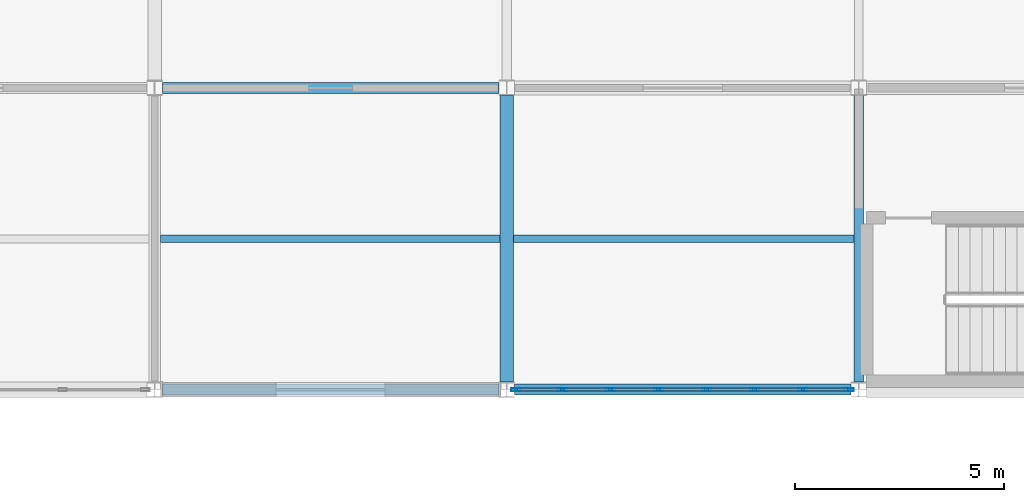
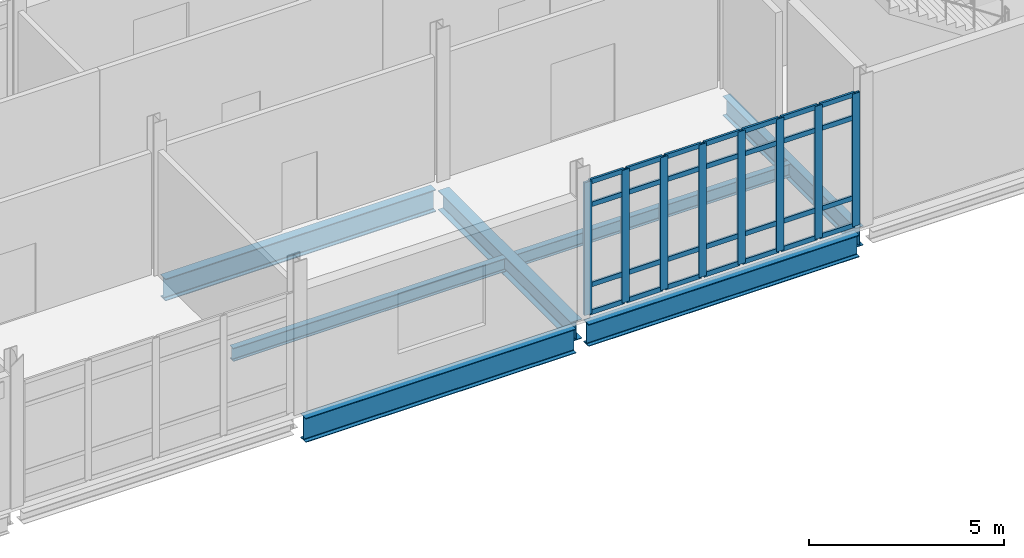
# One storey, part 88 of 186: 36 members, 7 beams, 1 element without a shape of its own.
"""IFC4 building model written with IfcOpenShell, lengths in metres."""

import ifcopenshell
import ifcopenshell.guid

model = None  # the IFC model being written
_history = None  # IfcOwnerHistory: only IFC2X3 demands one
_inside = {}  # id of a spatial element -> (the spatial element, [elements in it])
_under = {}  # id of a project, library or spatial element -> (it, [spatial elements below it])
_declared = {}  # id of a project -> (the project, [libraries it declares])
_typed = {}  # id of a type object -> (the type object, [elements of that type])
_made_of = {}  # id of a material, layer set ... -> (it, [elements and type objects made of it])


def new_model(schema):
    """Start an empty IFC model of exactly this schema.

    Asked for "IFC4X3", IfcOpenShell would pick the latest addendum, in which some entities
    have other attributes; the version numbers below select the first issue.
    IFC2X3 requires an IfcOwnerHistory on every rooted entity: one is made here for all.
    """
    global model, _history
    if schema == "IFC4X3":
        model = ifcopenshell.file(schema_version=(4, 3, 0, 0))
    else:
        model = ifcopenshell.file(schema=schema)
    _inside.clear()
    _under.clear()
    _declared.clear()
    _typed.clear()
    _made_of.clear()
    _history = None
    if model.schema == "IFC2X3":
        org = make("IfcOrganization", Name="unknown")
        user = make(
            "IfcPersonAndOrganization",
            ThePerson=make("IfcPerson", FamilyName="unknown"),
            TheOrganization=org,
        )
        app = make(
            "IfcApplication",
            ApplicationDeveloper=org,
            Version="unknown",
            ApplicationFullName="unknown",
            ApplicationIdentifier="unknown",
        )
        _history = make(
            "IfcOwnerHistory",
            OwningUser=user,
            OwningApplication=app,
            ChangeAction="ADDED",
            CreationDate=0,
        )
    return model


def make(cls, **values):
    """One entity of the class cls with the attributes given. An attribute that is None is left unset."""
    return model.create_entity(
        cls, **{name: value for name, value in values.items() if value is not None}
    )


def rooted(cls, **values):
    """An entity with a GlobalId (a new one), such as an element, a storey or a relation."""
    return make(cls, GlobalId=ifcopenshell.guid.new(), OwnerHistory=_history, **values)


def si_unit(unit_type, name, prefix=None):
    """IfcSIUnit, for example si_unit("LENGTHUNIT", "METRE", prefix="MILLI")."""
    return make("IfcSIUnit", UnitType=unit_type, Prefix=prefix, Name=name)


def assignment(units):
    """IfcUnitAssignment: the units of a project."""
    return None if units is None else make("IfcUnitAssignment", Units=units)


def point(xyz):
    """IfcCartesianPoint."""
    return None if xyz is None else make("IfcCartesianPoint", Coordinates=xyz)


def direction(xyz):
    """IfcDirection."""
    return None if xyz is None else make("IfcDirection", DirectionRatios=xyz)


def frame(location, z_axis=None, x_axis=None):
    """IfcAxis2Placement3D, a coordinate frame: its origin and axes. An axis left out is left unset."""
    return make(
        "IfcAxis2Placement3D",
        Location=point(location),
        Axis=direction(z_axis),
        RefDirection=direction(x_axis),
    )


def frame_2d(location, x_axis=None):
    """IfcAxis2Placement2D, a coordinate frame in the plane: its origin and x axis."""
    return make(
        "IfcAxis2Placement2D", Location=point(location), RefDirection=direction(x_axis)
    )


def origin():
    """The frame at (0, 0, 0) with its axes left unset."""
    return frame((0.0, 0.0, 0.0))


def origin_2d():
    """The frame at (0, 0) in the plane with its x axis left unset."""
    return frame_2d((0.0, 0.0))


def place(relative_to, where):
    """IfcLocalPlacement: puts the frame where relative to a parent placement (None: the world)."""
    return make(
        "IfcLocalPlacement", PlacementRelTo=relative_to, RelativePlacement=where
    )


def context(
    kind, dimensions, precision=None, world=None, true_north=None, identifier=None
):
    """IfcGeometricRepresentationContext, for example the 3D "Model" context."""
    return make(
        "IfcGeometricRepresentationContext",
        ContextIdentifier=identifier,
        ContextType=kind,
        CoordinateSpaceDimension=dimensions,
        Precision=precision,
        WorldCoordinateSystem=world,
        TrueNorth=true_north,
    )


def subcontext(parent, identifier, kind, view, scale=None):
    """IfcGeometricRepresentationSubContext, for example "Body" below "Model"."""
    return make(
        "IfcGeometricRepresentationSubContext",
        ContextIdentifier=identifier,
        ContextType=kind,
        ParentContext=parent,
        TargetScale=scale,
        TargetView=view,
    )


def project(units=None, contexts=None):
    """IfcProject with its units and contexts."""
    return rooted(
        "IfcProject",
        Name="project",
        RepresentationContexts=contexts,
        UnitsInContext=assignment(units),
    )


def spatial(cls, under=None, at=None, **own):
    """A site, building, storey or space (cls), placed at a placement, below another one or the project."""
    s = rooted(cls, ObjectPlacement=at, **own)
    if under is not None:
        _under.setdefault(under.id(), (under, []))[1].append(s)
    return s


def profile(cls, at=None, kind="AREA", **sizes):
    """A parametric profile (cls). Its sizes go by their IFC names, for example OverallWidth=200.0."""
    return make(cls, ProfileType=kind, Position=at, **sizes)


def hollow_rectangle(**sizes):
    """IfcRectangleHollowProfileDef."""
    return profile("IfcRectangleHollowProfileDef", **sizes)


def i_section(**sizes):
    """IfcIShapeProfileDef."""
    return profile("IfcIShapeProfileDef", **sizes)


def extrude(swept, where, along, depth):
    """IfcExtrudedAreaSolid: the profile swept, set in the frame where, extruded along a direction by depth."""
    return make(
        "IfcExtrudedAreaSolid",
        SweptArea=swept,
        Position=where,
        ExtrudedDirection=direction(along),
        Depth=depth,
    )


def shape(context_of_items, identifier, shape_type, items):
    """IfcShapeRepresentation: the items that make up one representation, for example the "Body"."""
    return make(
        "IfcShapeRepresentation",
        ContextOfItems=context_of_items,
        RepresentationIdentifier=identifier,
        RepresentationType=shape_type,
        Items=items,
    )


def material(Name=None, Category=None):
    """IfcMaterial."""
    return make("IfcMaterial", Name=Name, Category=Category)


def layer(
    of_material, thickness, ventilated=None, Name=None, Category=None, Priority=None
):
    """IfcMaterialLayer: one layer of a wall or slab, of a material (None: an air gap)."""
    return make(
        "IfcMaterialLayer",
        Material=of_material,
        LayerThickness=thickness,
        IsVentilated=ventilated,
        Name=Name,
        Category=Category,
        Priority=Priority,
    )


def layer_set(layers, Name=None):
    """IfcMaterialLayerSet."""
    return make("IfcMaterialLayerSet", MaterialLayers=layers, LayerSetName=Name)


def material_profile(
    of_material, cross_section, Name=None, Category=None, Priority=None
):
    """IfcMaterialProfile: a cross section and its material."""
    return make(
        "IfcMaterialProfile",
        Name=Name,
        Material=of_material,
        Profile=cross_section,
        Priority=Priority,
        Category=Category,
    )


def profile_set(profiles, Name=None, composite=None):
    """IfcMaterialProfileSet."""
    return make(
        "IfcMaterialProfileSet",
        Name=Name,
        MaterialProfiles=profiles,
        CompositeProfile=composite,
    )


def made_of(thing, what):
    """Note that an element or type object is made of a material, layer set ...; save() writes the relation."""
    if what is not None:
        _made_of.setdefault(what.id(), (what, []))[1].append(thing)
    return thing


def type_object(cls, material=None, **own):
    """A type object (cls), such as IfcWallType, which elements share."""
    return made_of(rooted(cls, **own), material)


def element(
    cls,
    number,
    at=None,
    inside=None,
    cuts=None,
    type_object=None,
    material=None,
    context=None,
    identifier="Body",
    shape_type=None,
    held_by="IfcProductDefinitionShape",
    body=None,
    shapes=None,
    **own,
):
    """One element of the class cls, such as IfcWall. Its Tag is "e" and its number.

    at: its placement. inside: the storey or other place that contains it. cuts: it is an
    opening in that element (IfcRelVoidsElement). A single representation is given by context,
    identifier, shape_type and body (its items); several are given by shapes. held_by: the class
    of the entity that holds the representations. save() writes the other relations.
    """
    e = rooted(cls, Tag="e%d" % number, ObjectPlacement=at, **own)
    if body is not None:
        shapes = [shape(context, identifier, shape_type, body)]
    if shapes is not None:
        e.Representation = make(held_by, Representations=shapes)
    if inside is not None:
        _inside.setdefault(inside.id(), (inside, []))[1].append(e)
    if cuts is not None:
        rooted(
            "IfcRelVoidsElement", RelatingBuildingElement=cuts, RelatedOpeningElement=e
        )
    if type_object is not None:
        _typed.setdefault(type_object.id(), (type_object, []))[1].append(e)
    return made_of(e, material)


def aggregate(whole, parts):
    """IfcRelAggregates: a whole, such as a stair, and the parts it consists of."""
    return rooted("IfcRelAggregates", RelatingObject=whole, RelatedObjects=parts)


def save(model, path):
    """Write the relations noted so far, then the file.

    IfcRelAggregates (storeys below a building ...), IfcRelContainedInSpatialStructure (elements
    in a storey), IfcRelDefinesByType, IfcRelAssociatesMaterial and IfcRelDeclares: one each for
    every whole, place, type object, material and project.
    """
    for whole, parts in _under.values():
        aggregate(whole, parts)
    for where, things in _inside.values():
        rooted(
            "IfcRelContainedInSpatialStructure",
            RelatedElements=things,
            RelatingStructure=where,
        )
    for kind, things in _typed.values():
        rooted("IfcRelDefinesByType", RelatedObjects=things, RelatingType=kind)
    for what, things in _made_of.values():
        rooted("IfcRelAssociatesMaterial", RelatedObjects=things, RelatingMaterial=what)
    for by, libraries in _declared.values():
        rooted("IfcRelDeclares", RelatingContext=by, RelatedDefinitions=libraries)
    model.write(path)


model = new_model("IFC4")

# Units and contexts
model_context = context("Model", 3, precision=1e-05, world=origin(), true_north=direction((0.0, 1.0)))
body_context = subcontext(model_context, "Body", "Model", "MODEL_VIEW")
ifc_project = project(units=[si_unit("LENGTHUNIT", "METRE"), si_unit("AREAUNIT", "SQUARE_METRE"), si_unit("VOLUMEUNIT", "CUBIC_METRE"), si_unit("PLANEANGLEUNIT", "RADIAN"), si_unit("MASSUNIT", "GRAM", prefix="KILO")], contexts=[model_context])

# Site, building, storey
site_placement = place(None, origin())
site = spatial("IfcSite", under=ifc_project, at=site_placement, CompositionType="ELEMENT")
building_placement = place(site_placement, origin())
building = spatial("IfcBuilding", under=site, at=building_placement, Name="Calvrana Isthmian Art Gallery", CompositionType="ELEMENT")
storey_placement = place(building_placement, frame((0.0, 0.0, 5.39990234375)))
storey = spatial("IfcBuildingStorey", under=building, at=storey_placement, Name="L01", CompositionType="ELEMENT", Elevation=5.39990234375)

# Beams
ifc_material_1 = material(Name="Steel ASTM A992 Gr 50", Category="steel")
ifc_material_profile_1 = material_profile(ifc_material_1, i_section(OverallWidth=0.324951171875, OverallDepth=0.612060546875, WebThickness=0.0126953125, FlangeThickness=0.01904296875, FilletRadius=0.02197265625, at=origin_2d()), Name="W24X104")
ifc_profile_set_1 = profile_set([ifc_material_profile_1], Name="Steel ASTM A992 Gr 50")
beam_type_1 = type_object("IfcBeamType", Name="BM-G-W24X104", PredefinedType="BEAM", material=ifc_profile_set_1)
beam_1_placement = place(storey_placement, frame((38.39990234375, 98.58154296875, -0.55078125), z_axis=(0.0, 1.0, 0.0), x_axis=(-1.0, 0.0, 0.0)))
element("IfcBeam", 1, at=beam_1_placement, inside=storey, type_object=beam_type_1, Name="Girder Y L01 06/N-O", PredefinedType="BEAM", context=body_context, shape_type="SweptSolid", body=[
    extrude(i_section(OverallWidth=0.324951171875, OverallDepth=0.612060546875, WebThickness=0.0126953125, FlangeThickness=0.01904296875, FilletRadius=0.02197265625, at=origin_2d()), origin(), (0.0, 0.0, 1.0), 6.83447265625),
])
ifc_material_profile_2 = material_profile(ifc_material_1, i_section(OverallWidth=0.22802734375, OverallDepth=0.60693359375, WebThickness=0.01123046875, FlangeThickness=0.017333984375, FilletRadius=0.02197265625, at=origin_2d()), Name="W24X76")
ifc_profile_set_2 = profile_set([ifc_material_profile_2], Name="Steel ASTM A992 Gr 50")
beam_type_2 = type_object("IfcBeamType", Name="BM-G-W24X76", PredefinedType="BEAM", material=ifc_profile_set_2)
beam_2_placement = place(storey_placement, frame((46.800048828125, 98.577880859375, -0.54833984375), z_axis=(0.0, 1.0, 0.0), x_axis=(-1.0, 0.0, 0.0)))
element("IfcBeam", 2, at=beam_2_placement, inside=storey, type_object=beam_type_2, Name="Girder Y L01 07/N-O", PredefinedType="BEAM", context=body_context, shape_type="SweptSolid", body=[
    extrude(i_section(OverallWidth=0.22802734375, OverallDepth=0.60693359375, WebThickness=0.01123046875, FlangeThickness=0.017333984375, FilletRadius=0.02197265625, at=origin_2d()), origin(), (0.0, 0.0, 1.0), 6.840576171875),
])
ifc_material_profile_3 = material_profile(ifc_material_1, i_section(OverallWidth=0.257080078125, OverallDepth=0.693115234375, WebThickness=0.014404296875, FlangeThickness=0.023681640625, FilletRadius=0.02392578125, at=origin_2d()), Name="W27X114")
ifc_profile_set_3 = profile_set([ifc_material_profile_3], Name="Steel ASTM A992 Gr 50")
beam_type_3 = type_object("IfcBeamType", Name="BM-G-W27X114", PredefinedType="BEAM", material=ifc_profile_set_3)
beam_3_placement = place(storey_placement, frame((38.58544921875, 98.39990234375, -0.59130859375), z_axis=(1.0, 0.0, 0.0), x_axis=(0.0, 1.0, 0.0)))
element("IfcBeam", 3, at=beam_3_placement, inside=storey, type_object=beam_type_3, Name="Girder X L01 06-07/N", PredefinedType="BEAM", context=body_context, shape_type="SweptSolid", body=[
    extrude(i_section(OverallWidth=0.257080078125, OverallDepth=0.693115234375, WebThickness=0.014404296875, FlangeThickness=0.023681640625, FilletRadius=0.02392578125, at=origin_2d()), origin(), (0.0, 0.0, 1.0), 8.030517578125),
])
beam_4_placement = place(storey_placement, frame((30.1865234375, 105.60009765625, -0.59130859375), z_axis=(1.0, 0.0, 0.0), x_axis=(0.0, 1.0, 0.0)))
element("IfcBeam", 4, at=beam_4_placement, inside=storey, type_object=beam_type_3, Name="Girder X L01 05-06/O", PredefinedType="BEAM", context=body_context, shape_type="SweptSolid", body=[
    extrude(i_section(OverallWidth=0.257080078125, OverallDepth=0.693115234375, WebThickness=0.014404296875, FlangeThickness=0.023681640625, FilletRadius=0.02392578125, at=origin_2d()), origin(), (0.0, 0.0, 1.0), 8.02685546875),
])
ifc_material_profile_4 = material_profile(ifc_material_1, i_section(OverallWidth=0.26708984375, OverallDepth=0.761962890625, WebThickness=0.014404296875, FlangeThickness=0.021484375, FilletRadius=0.02490234375, at=origin_2d()), Name="W30X116")
ifc_profile_set_4 = profile_set([ifc_material_profile_4], Name="Steel ASTM A992 Gr 50")
beam_type_4 = type_object("IfcBeamType", Name="BM-G-W30X116", PredefinedType="BEAM", material=ifc_profile_set_4)
beam_5_placement = place(storey_placement, frame((30.1865234375, 98.39990234375, -0.6259765625), z_axis=(1.0, 0.0, 0.0), x_axis=(0.0, 1.0, 0.0)))
element("IfcBeam", 5, at=beam_5_placement, inside=storey, type_object=beam_type_4, Name="Girder X L01 05-06/N", PredefinedType="BEAM", context=body_context, shape_type="SweptSolid", body=[
    extrude(i_section(OverallWidth=0.26708984375, OverallDepth=0.761962890625, WebThickness=0.014404296875, FlangeThickness=0.021484375, FilletRadius=0.02490234375, at=origin_2d()), origin(), (0.0, 0.0, 1.0), 8.028076171875),
])
ifc_material_profile_5 = material_profile(ifc_material_1, i_section(OverallWidth=0.177978515625, OverallDepth=0.404052734375, WebThickness=0.007568359375, FlangeThickness=0.010986328125, FilletRadius=0.01806640625, at=origin_2d()), Name="W16X36")
ifc_profile_set_5 = profile_set([ifc_material_profile_5], Name="Steel ASTM A992 Gr 50")
beam_type_5 = type_object("IfcBeamType", Name="BM-J-W16X36", PredefinedType="JOIST", material=ifc_profile_set_5)
beam_6_placement = place(storey_placement, frame((38.5625, 102.0, -0.447021484375), z_axis=(1.0, 0.0, 0.0), x_axis=(0.0, 1.0, 0.0)))
element("IfcBeam", 6, at=beam_6_placement, inside=storey, type_object=beam_type_5, Name="Composite joist L01 bay 05-13", PredefinedType="JOIST", context=body_context, shape_type="SweptSolid", body=[
    extrude(i_section(OverallWidth=0.177978515625, OverallDepth=0.404052734375, WebThickness=0.007568359375, FlangeThickness=0.010986328125, FilletRadius=0.01806640625, at=origin_2d()), origin(), (0.0, 0.0, 1.0), 8.12353515625),
])
ifc_material_profile_6 = material_profile(ifc_material_1, i_section(OverallWidth=0.179931640625, OverallDepth=0.4140625, WebThickness=0.009765625, FlangeThickness=0.01611328125, FilletRadius=0.01806640625, at=origin_2d()), Name="W16X50")
ifc_profile_set_6 = profile_set([ifc_material_profile_6], Name="Steel ASTM A992 Gr 50")
beam_type_6 = type_object("IfcBeamType", Name="BM-J-W16X50", PredefinedType="JOIST", material=ifc_profile_set_6)
beam_7_placement = place(storey_placement, frame((30.139404296875, 102.0, -0.451904296875), z_axis=(1.0, 0.0, 0.0), x_axis=(0.0, 1.0, 0.0)))
element("IfcBeam", 7, at=beam_7_placement, inside=storey, type_object=beam_type_6, Name="Composite joist L01 bay 04-13", PredefinedType="JOIST", context=body_context, shape_type="SweptSolid", body=[
    extrude(i_section(OverallWidth=0.179931640625, OverallDepth=0.4140625, WebThickness=0.009765625, FlangeThickness=0.01611328125, FilletRadius=0.01806640625, at=origin_2d()), origin(), (0.0, 0.0, 1.0), 8.09814453125),
])

# Curtain wall, members
ifc_material_2 = material(Name="Anodized bronze aluminium 6063-T6", Category="aluminium")
ifc_layer = layer(ifc_material_2, 0.179931640625, Name="Anodized bronze aluminium 6063-T6")
ifc_layer_set = layer_set([ifc_layer], Name="Anodized bronze aluminium 6063-T6")
curtain_wall_type = type_object("IfcCurtainWallType", Name="CW-UNIT-080X42", PredefinedType="USERDEFINED", material=ifc_layer_set)
curtain_wall_placement = place(storey_placement, origin())
curtain_wall = element("IfcCurtainWall", 8, at=curtain_wall_placement, inside=storey, type_object=curtain_wall_type, Name="Curtain wall CW-112", ObjectType="UNITISED CURTAIN WALL", PredefinedType="USERDEFINED")
ifc_material_profile_7 = material_profile(ifc_material_2, hollow_rectangle(XDim=0.074951171875, YDim=0.219970703125, WallThickness=0.0048828125, at=origin_2d()), Name="CWM75X220")
ifc_profile_set_7 = profile_set([ifc_material_profile_7], Name="Anodized bronze aluminium 6063-T6")
member_type_1 = type_object("IfcMemberType", Name="CWM-CWM75X220", PredefinedType="MULLION", material=ifc_profile_set_7)
member_1_placement = place(storey_placement, frame((46.576904296875, 98.39990234375, 0.0), z_axis=(0.0, 0.0, 1.0), x_axis=(0.0, -1.0, 0.0)))
member_1 = element("IfcMember", 9, at=member_1_placement, type_object=member_type_1, Name="CW-112 mullion 1", PredefinedType="MULLION", context=body_context, shape_type="SweptSolid", body=[
    extrude(hollow_rectangle(XDim=0.074951171875, YDim=0.219970703125, WallThickness=0.0048828125, at=origin_2d()), origin(), (0.0, 0.0, 1.0), 4.1640625),
])
member_2_placement = place(storey_placement, frame((45.467529296875, 98.39990234375, 0.0), z_axis=(0.0, 0.0, 1.0), x_axis=(0.0, -1.0, 0.0)))
member_2 = element("IfcMember", 10, at=member_2_placement, type_object=member_type_1, Name="CW-112 mullion 2", PredefinedType="MULLION", context=body_context, shape_type="SweptSolid", body=[
    extrude(hollow_rectangle(XDim=0.074951171875, YDim=0.219970703125, WallThickness=0.0048828125, at=origin_2d()), origin(), (0.0, 0.0, 1.0), 4.1640625),
])
member_3_placement = place(storey_placement, frame((44.32080078125, 98.39990234375, 0.0), z_axis=(0.0, 0.0, 1.0), x_axis=(0.0, -1.0, 0.0)))
member_3 = element("IfcMember", 11, at=member_3_placement, type_object=member_type_1, Name="CW-112 mullion 3", PredefinedType="MULLION", context=body_context, shape_type="SweptSolid", body=[
    extrude(hollow_rectangle(XDim=0.074951171875, YDim=0.219970703125, WallThickness=0.0048828125, at=origin_2d()), origin(), (0.0, 0.0, 1.0), 4.1640625),
])
member_4_placement = place(storey_placement, frame((43.173828125, 98.39990234375, 0.0), z_axis=(0.0, 0.0, 1.0), x_axis=(0.0, -1.0, 0.0)))
member_4 = element("IfcMember", 12, at=member_4_placement, type_object=member_type_1, Name="CW-112 mullion 4", PredefinedType="MULLION", context=body_context, shape_type="SweptSolid", body=[
    extrude(hollow_rectangle(XDim=0.074951171875, YDim=0.219970703125, WallThickness=0.0048828125, at=origin_2d()), origin(), (0.0, 0.0, 1.0), 4.1640625),
])
member_5_placement = place(storey_placement, frame((42.027099609375, 98.39990234375, 0.0), z_axis=(0.0, 0.0, 1.0), x_axis=(0.0, -1.0, 0.0)))
member_5 = element("IfcMember", 13, at=member_5_placement, type_object=member_type_1, Name="CW-112 mullion 5", PredefinedType="MULLION", context=body_context, shape_type="SweptSolid", body=[
    extrude(hollow_rectangle(XDim=0.074951171875, YDim=0.219970703125, WallThickness=0.0048828125, at=origin_2d()), origin(), (0.0, 0.0, 1.0), 4.1640625),
])
member_6_placement = place(storey_placement, frame((40.880126953125, 98.39990234375, 0.0), z_axis=(0.0, 0.0, 1.0), x_axis=(0.0, -1.0, 0.0)))
member_6 = element("IfcMember", 14, at=member_6_placement, type_object=member_type_1, Name="CW-112 mullion 6", PredefinedType="MULLION", context=body_context, shape_type="SweptSolid", body=[
    extrude(hollow_rectangle(XDim=0.074951171875, YDim=0.219970703125, WallThickness=0.0048828125, at=origin_2d()), origin(), (0.0, 0.0, 1.0), 4.1640625),
])
member_7_placement = place(storey_placement, frame((39.7333984375, 98.39990234375, 0.0), z_axis=(0.0, 0.0, 1.0), x_axis=(0.0, -1.0, 0.0)))
member_7 = element("IfcMember", 15, at=member_7_placement, type_object=member_type_1, Name="CW-112 mullion 7", PredefinedType="MULLION", context=body_context, shape_type="SweptSolid", body=[
    extrude(hollow_rectangle(XDim=0.074951171875, YDim=0.219970703125, WallThickness=0.0048828125, at=origin_2d()), origin(), (0.0, 0.0, 1.0), 4.1640625),
])
member_8_placement = place(storey_placement, frame((38.6240234375, 98.39990234375, 0.0), z_axis=(0.0, 0.0, 1.0), x_axis=(0.0, -1.0, 0.0)))
member_8 = element("IfcMember", 16, at=member_8_placement, type_object=member_type_1, Name="CW-112 mullion 8", PredefinedType="MULLION", context=body_context, shape_type="SweptSolid", body=[
    extrude(hollow_rectangle(XDim=0.074951171875, YDim=0.219970703125, WallThickness=0.0048828125, at=origin_2d()), origin(), (0.0, 0.0, 1.0), 4.1640625),
])
ifc_material_profile_8 = material_profile(ifc_material_2, hollow_rectangle(XDim=0.06494140625, YDim=0.14990234375, WallThickness=0.00390625, at=origin_2d()), Name="CWT65X150")
ifc_profile_set_8 = profile_set([ifc_material_profile_8], Name="Anodized bronze aluminium 6063-T6")
member_type_2 = type_object("IfcMemberType", Name="CWT-CWT65X150", PredefinedType="USERDEFINED", material=ifc_profile_set_8)
member_9_placement = place(storey_placement, frame((46.53955078125, 98.39990234375, 0.03271484375), z_axis=(-1.0, 0.0, 0.0), x_axis=(0.0, -1.0, 0.0)))
member_9 = element("IfcMember", 17, at=member_9_placement, type_object=member_type_2, Name="CW-112 transom 1.1", ObjectType="TRANSOM", PredefinedType="USERDEFINED", context=body_context, shape_type="SweptSolid", body=[
    extrude(hollow_rectangle(XDim=0.06494140625, YDim=0.14990234375, WallThickness=0.00390625, at=origin_2d()), origin(), (0.0, 0.0, 1.0), 1.034423828125),
])
member_10_placement = place(storey_placement, frame((46.53955078125, 98.39990234375, 0.900146484375), z_axis=(-1.0, 0.0, 0.0), x_axis=(0.0, -1.0, 0.0)))
member_10 = element("IfcMember", 18, at=member_10_placement, type_object=member_type_2, Name="CW-112 transom 1.2", ObjectType="TRANSOM", PredefinedType="USERDEFINED", context=body_context, shape_type="SweptSolid", body=[
    extrude(hollow_rectangle(XDim=0.06494140625, YDim=0.14990234375, WallThickness=0.00390625, at=origin_2d()), origin(), (0.0, 0.0, 1.0), 1.034423828125),
])
member_11_placement = place(storey_placement, frame((46.53955078125, 98.39990234375, 3.4140625), z_axis=(-1.0, 0.0, 0.0), x_axis=(0.0, -1.0, 0.0)))
member_11 = element("IfcMember", 19, at=member_11_placement, type_object=member_type_2, Name="CW-112 transom 1.3", ObjectType="TRANSOM", PredefinedType="USERDEFINED", context=body_context, shape_type="SweptSolid", body=[
    extrude(hollow_rectangle(XDim=0.06494140625, YDim=0.14990234375, WallThickness=0.00390625, at=origin_2d()), origin(), (0.0, 0.0, 1.0), 1.034423828125),
])
member_12_placement = place(storey_placement, frame((46.53955078125, 98.39990234375, 4.131591796875), z_axis=(-1.0, 0.0, 0.0), x_axis=(0.0, -1.0, 0.0)))
member_12 = element("IfcMember", 20, at=member_12_placement, type_object=member_type_2, Name="CW-112 transom 1.4", ObjectType="TRANSOM", PredefinedType="USERDEFINED", context=body_context, shape_type="SweptSolid", body=[
    extrude(hollow_rectangle(XDim=0.06494140625, YDim=0.14990234375, WallThickness=0.00390625, at=origin_2d()), origin(), (0.0, 0.0, 1.0), 1.034423828125),
])
member_13_placement = place(storey_placement, frame((45.43017578125, 98.39990234375, 0.03271484375), z_axis=(-1.0, 0.0, 0.0), x_axis=(0.0, -1.0, 0.0)))
member_13 = element("IfcMember", 21, at=member_13_placement, type_object=member_type_2, Name="CW-112 transom 2.1", ObjectType="TRANSOM", PredefinedType="USERDEFINED", context=body_context, shape_type="SweptSolid", body=[
    extrude(hollow_rectangle(XDim=0.06494140625, YDim=0.14990234375, WallThickness=0.00390625, at=origin_2d()), origin(), (0.0, 0.0, 1.0), 1.07177734375),
])
member_14_placement = place(storey_placement, frame((45.43017578125, 98.39990234375, 0.900146484375), z_axis=(-1.0, 0.0, 0.0), x_axis=(0.0, -1.0, 0.0)))
member_14 = element("IfcMember", 22, at=member_14_placement, type_object=member_type_2, Name="CW-112 transom 2.2", ObjectType="TRANSOM", PredefinedType="USERDEFINED", context=body_context, shape_type="SweptSolid", body=[
    extrude(hollow_rectangle(XDim=0.06494140625, YDim=0.14990234375, WallThickness=0.00390625, at=origin_2d()), origin(), (0.0, 0.0, 1.0), 1.07177734375),
])
member_15_placement = place(storey_placement, frame((45.43017578125, 98.39990234375, 3.4140625), z_axis=(-1.0, 0.0, 0.0), x_axis=(0.0, -1.0, 0.0)))
member_15 = element("IfcMember", 23, at=member_15_placement, type_object=member_type_2, Name="CW-112 transom 2.3", ObjectType="TRANSOM", PredefinedType="USERDEFINED", context=body_context, shape_type="SweptSolid", body=[
    extrude(hollow_rectangle(XDim=0.06494140625, YDim=0.14990234375, WallThickness=0.00390625, at=origin_2d()), origin(), (0.0, 0.0, 1.0), 1.07177734375),
])
member_16_placement = place(storey_placement, frame((45.43017578125, 98.39990234375, 4.131591796875), z_axis=(-1.0, 0.0, 0.0), x_axis=(0.0, -1.0, 0.0)))
member_16 = element("IfcMember", 24, at=member_16_placement, type_object=member_type_2, Name="CW-112 transom 2.4", ObjectType="TRANSOM", PredefinedType="USERDEFINED", context=body_context, shape_type="SweptSolid", body=[
    extrude(hollow_rectangle(XDim=0.06494140625, YDim=0.14990234375, WallThickness=0.00390625, at=origin_2d()), origin(), (0.0, 0.0, 1.0), 1.07177734375),
])
member_17_placement = place(storey_placement, frame((44.283203125, 98.39990234375, 0.03271484375), z_axis=(-1.0, 0.0, 0.0), x_axis=(0.0, -1.0, 0.0)))
member_17 = element("IfcMember", 25, at=member_17_placement, type_object=member_type_2, Name="CW-112 transom 3.1", ObjectType="TRANSOM", PredefinedType="USERDEFINED", context=body_context, shape_type="SweptSolid", body=[
    extrude(hollow_rectangle(XDim=0.06494140625, YDim=0.14990234375, WallThickness=0.00390625, at=origin_2d()), origin(), (0.0, 0.0, 1.0), 1.07177734375),
])
member_18_placement = place(storey_placement, frame((44.283203125, 98.39990234375, 0.900146484375), z_axis=(-1.0, 0.0, 0.0), x_axis=(0.0, -1.0, 0.0)))
member_18 = element("IfcMember", 26, at=member_18_placement, type_object=member_type_2, Name="CW-112 transom 3.2", ObjectType="TRANSOM", PredefinedType="USERDEFINED", context=body_context, shape_type="SweptSolid", body=[
    extrude(hollow_rectangle(XDim=0.06494140625, YDim=0.14990234375, WallThickness=0.00390625, at=origin_2d()), origin(), (0.0, 0.0, 1.0), 1.07177734375),
])
member_19_placement = place(storey_placement, frame((44.283203125, 98.39990234375, 3.4140625), z_axis=(-1.0, 0.0, 0.0), x_axis=(0.0, -1.0, 0.0)))
member_19 = element("IfcMember", 27, at=member_19_placement, type_object=member_type_2, Name="CW-112 transom 3.3", ObjectType="TRANSOM", PredefinedType="USERDEFINED", context=body_context, shape_type="SweptSolid", body=[
    extrude(hollow_rectangle(XDim=0.06494140625, YDim=0.14990234375, WallThickness=0.00390625, at=origin_2d()), origin(), (0.0, 0.0, 1.0), 1.07177734375),
])
member_20_placement = place(storey_placement, frame((44.283203125, 98.39990234375, 4.131591796875), z_axis=(-1.0, 0.0, 0.0), x_axis=(0.0, -1.0, 0.0)))
member_20 = element("IfcMember", 28, at=member_20_placement, type_object=member_type_2, Name="CW-112 transom 3.4", ObjectType="TRANSOM", PredefinedType="USERDEFINED", context=body_context, shape_type="SweptSolid", body=[
    extrude(hollow_rectangle(XDim=0.06494140625, YDim=0.14990234375, WallThickness=0.00390625, at=origin_2d()), origin(), (0.0, 0.0, 1.0), 1.07177734375),
])
member_21_placement = place(storey_placement, frame((43.136474609375, 98.39990234375, 0.03271484375), z_axis=(-1.0, 0.0, 0.0), x_axis=(0.0, -1.0, 0.0)))
member_21 = element("IfcMember", 29, at=member_21_placement, type_object=member_type_2, Name="CW-112 transom 4.1", ObjectType="TRANSOM", PredefinedType="USERDEFINED", context=body_context, shape_type="SweptSolid", body=[
    extrude(hollow_rectangle(XDim=0.06494140625, YDim=0.14990234375, WallThickness=0.00390625, at=origin_2d()), origin(), (0.0, 0.0, 1.0), 1.072021484375),
])
member_22_placement = place(storey_placement, frame((43.136474609375, 98.39990234375, 0.900146484375), z_axis=(-1.0, 0.0, 0.0), x_axis=(0.0, -1.0, 0.0)))
member_22 = element("IfcMember", 30, at=member_22_placement, type_object=member_type_2, Name="CW-112 transom 4.2", ObjectType="TRANSOM", PredefinedType="USERDEFINED", context=body_context, shape_type="SweptSolid", body=[
    extrude(hollow_rectangle(XDim=0.06494140625, YDim=0.14990234375, WallThickness=0.00390625, at=origin_2d()), origin(), (0.0, 0.0, 1.0), 1.072021484375),
])
member_23_placement = place(storey_placement, frame((43.136474609375, 98.39990234375, 3.4140625), z_axis=(-1.0, 0.0, 0.0), x_axis=(0.0, -1.0, 0.0)))
member_23 = element("IfcMember", 31, at=member_23_placement, type_object=member_type_2, Name="CW-112 transom 4.3", ObjectType="TRANSOM", PredefinedType="USERDEFINED", context=body_context, shape_type="SweptSolid", body=[
    extrude(hollow_rectangle(XDim=0.06494140625, YDim=0.14990234375, WallThickness=0.00390625, at=origin_2d()), origin(), (0.0, 0.0, 1.0), 1.072021484375),
])
member_24_placement = place(storey_placement, frame((43.136474609375, 98.39990234375, 4.131591796875), z_axis=(-1.0, 0.0, 0.0), x_axis=(0.0, -1.0, 0.0)))
member_24 = element("IfcMember", 32, at=member_24_placement, type_object=member_type_2, Name="CW-112 transom 4.4", ObjectType="TRANSOM", PredefinedType="USERDEFINED", context=body_context, shape_type="SweptSolid", body=[
    extrude(hollow_rectangle(XDim=0.06494140625, YDim=0.14990234375, WallThickness=0.00390625, at=origin_2d()), origin(), (0.0, 0.0, 1.0), 1.072021484375),
])
member_25_placement = place(storey_placement, frame((41.989501953125, 98.39990234375, 0.03271484375), z_axis=(-1.0, 0.0, 0.0), x_axis=(0.0, -1.0, 0.0)))
member_25 = element("IfcMember", 33, at=member_25_placement, type_object=member_type_2, Name="CW-112 transom 5.1", ObjectType="TRANSOM", PredefinedType="USERDEFINED", context=body_context, shape_type="SweptSolid", body=[
    extrude(hollow_rectangle(XDim=0.06494140625, YDim=0.14990234375, WallThickness=0.00390625, at=origin_2d()), origin(), (0.0, 0.0, 1.0), 1.07177734375),
])
member_26_placement = place(storey_placement, frame((41.989501953125, 98.39990234375, 0.900146484375), z_axis=(-1.0, 0.0, 0.0), x_axis=(0.0, -1.0, 0.0)))
member_26 = element("IfcMember", 34, at=member_26_placement, type_object=member_type_2, Name="CW-112 transom 5.2", ObjectType="TRANSOM", PredefinedType="USERDEFINED", context=body_context, shape_type="SweptSolid", body=[
    extrude(hollow_rectangle(XDim=0.06494140625, YDim=0.14990234375, WallThickness=0.00390625, at=origin_2d()), origin(), (0.0, 0.0, 1.0), 1.07177734375),
])
member_27_placement = place(storey_placement, frame((41.989501953125, 98.39990234375, 3.4140625), z_axis=(-1.0, 0.0, 0.0), x_axis=(0.0, -1.0, 0.0)))
member_27 = element("IfcMember", 35, at=member_27_placement, type_object=member_type_2, Name="CW-112 transom 5.3", ObjectType="TRANSOM", PredefinedType="USERDEFINED", context=body_context, shape_type="SweptSolid", body=[
    extrude(hollow_rectangle(XDim=0.06494140625, YDim=0.14990234375, WallThickness=0.00390625, at=origin_2d()), origin(), (0.0, 0.0, 1.0), 1.07177734375),
])
member_28_placement = place(storey_placement, frame((41.989501953125, 98.39990234375, 4.131591796875), z_axis=(-1.0, 0.0, 0.0), x_axis=(0.0, -1.0, 0.0)))
member_28 = element("IfcMember", 36, at=member_28_placement, type_object=member_type_2, Name="CW-112 transom 5.4", ObjectType="TRANSOM", PredefinedType="USERDEFINED", context=body_context, shape_type="SweptSolid", body=[
    extrude(hollow_rectangle(XDim=0.06494140625, YDim=0.14990234375, WallThickness=0.00390625, at=origin_2d()), origin(), (0.0, 0.0, 1.0), 1.07177734375),
])
member_29_placement = place(storey_placement, frame((40.8427734375, 98.39990234375, 0.03271484375), z_axis=(-1.0, 0.0, 0.0), x_axis=(0.0, -1.0, 0.0)))
member_29 = element("IfcMember", 37, at=member_29_placement, type_object=member_type_2, Name="CW-112 transom 6.1", ObjectType="TRANSOM", PredefinedType="USERDEFINED", context=body_context, shape_type="SweptSolid", body=[
    extrude(hollow_rectangle(XDim=0.06494140625, YDim=0.14990234375, WallThickness=0.00390625, at=origin_2d()), origin(), (0.0, 0.0, 1.0), 1.072021484375),
])
member_30_placement = place(storey_placement, frame((40.8427734375, 98.39990234375, 0.900146484375), z_axis=(-1.0, 0.0, 0.0), x_axis=(0.0, -1.0, 0.0)))
member_30 = element("IfcMember", 38, at=member_30_placement, type_object=member_type_2, Name="CW-112 transom 6.2", ObjectType="TRANSOM", PredefinedType="USERDEFINED", context=body_context, shape_type="SweptSolid", body=[
    extrude(hollow_rectangle(XDim=0.06494140625, YDim=0.14990234375, WallThickness=0.00390625, at=origin_2d()), origin(), (0.0, 0.0, 1.0), 1.072021484375),
])
member_31_placement = place(storey_placement, frame((40.8427734375, 98.39990234375, 3.4140625), z_axis=(-1.0, 0.0, 0.0), x_axis=(0.0, -1.0, 0.0)))
member_31 = element("IfcMember", 39, at=member_31_placement, type_object=member_type_2, Name="CW-112 transom 6.3", ObjectType="TRANSOM", PredefinedType="USERDEFINED", context=body_context, shape_type="SweptSolid", body=[
    extrude(hollow_rectangle(XDim=0.06494140625, YDim=0.14990234375, WallThickness=0.00390625, at=origin_2d()), origin(), (0.0, 0.0, 1.0), 1.072021484375),
])
member_32_placement = place(storey_placement, frame((40.8427734375, 98.39990234375, 4.131591796875), z_axis=(-1.0, 0.0, 0.0), x_axis=(0.0, -1.0, 0.0)))
member_32 = element("IfcMember", 40, at=member_32_placement, type_object=member_type_2, Name="CW-112 transom 6.4", ObjectType="TRANSOM", PredefinedType="USERDEFINED", context=body_context, shape_type="SweptSolid", body=[
    extrude(hollow_rectangle(XDim=0.06494140625, YDim=0.14990234375, WallThickness=0.00390625, at=origin_2d()), origin(), (0.0, 0.0, 1.0), 1.072021484375),
])
member_33_placement = place(storey_placement, frame((39.69580078125, 98.39990234375, 0.03271484375), z_axis=(-1.0, 0.0, 0.0), x_axis=(0.0, -1.0, 0.0)))
member_33 = element("IfcMember", 41, at=member_33_placement, type_object=member_type_2, Name="CW-112 transom 7.1", ObjectType="TRANSOM", PredefinedType="USERDEFINED", context=body_context, shape_type="SweptSolid", body=[
    extrude(hollow_rectangle(XDim=0.06494140625, YDim=0.14990234375, WallThickness=0.00390625, at=origin_2d()), origin(), (0.0, 0.0, 1.0), 1.0341796875),
])
member_34_placement = place(storey_placement, frame((39.69580078125, 98.39990234375, 0.900146484375), z_axis=(-1.0, 0.0, 0.0), x_axis=(0.0, -1.0, 0.0)))
member_34 = element("IfcMember", 42, at=member_34_placement, type_object=member_type_2, Name="CW-112 transom 7.2", ObjectType="TRANSOM", PredefinedType="USERDEFINED", context=body_context, shape_type="SweptSolid", body=[
    extrude(hollow_rectangle(XDim=0.06494140625, YDim=0.14990234375, WallThickness=0.00390625, at=origin_2d()), origin(), (0.0, 0.0, 1.0), 1.0341796875),
])
member_35_placement = place(storey_placement, frame((39.69580078125, 98.39990234375, 3.4140625), z_axis=(-1.0, 0.0, 0.0), x_axis=(0.0, -1.0, 0.0)))
member_35 = element("IfcMember", 43, at=member_35_placement, type_object=member_type_2, Name="CW-112 transom 7.3", ObjectType="TRANSOM", PredefinedType="USERDEFINED", context=body_context, shape_type="SweptSolid", body=[
    extrude(hollow_rectangle(XDim=0.06494140625, YDim=0.14990234375, WallThickness=0.00390625, at=origin_2d()), origin(), (0.0, 0.0, 1.0), 1.0341796875),
])
member_36_placement = place(storey_placement, frame((39.69580078125, 98.39990234375, 4.131591796875), z_axis=(-1.0, 0.0, 0.0), x_axis=(0.0, -1.0, 0.0)))
member_36 = element("IfcMember", 44, at=member_36_placement, type_object=member_type_2, Name="CW-112 transom 7.4", ObjectType="TRANSOM", PredefinedType="USERDEFINED", context=body_context, shape_type="SweptSolid", body=[
    extrude(hollow_rectangle(XDim=0.06494140625, YDim=0.14990234375, WallThickness=0.00390625, at=origin_2d()), origin(), (0.0, 0.0, 1.0), 1.0341796875),
])
aggregate(curtain_wall, [member_1, member_2, member_3, member_4, member_5, member_6, member_7, member_8, member_9, member_10, member_11, member_12, member_13, member_14, member_15, member_16, member_17, member_18, member_19, member_20, member_21, member_22, member_23, member_24, member_25, member_26, member_27, member_28, member_29, member_30, member_31, member_32, member_33, member_34, member_35, member_36])

save(model, "model.ifc")
